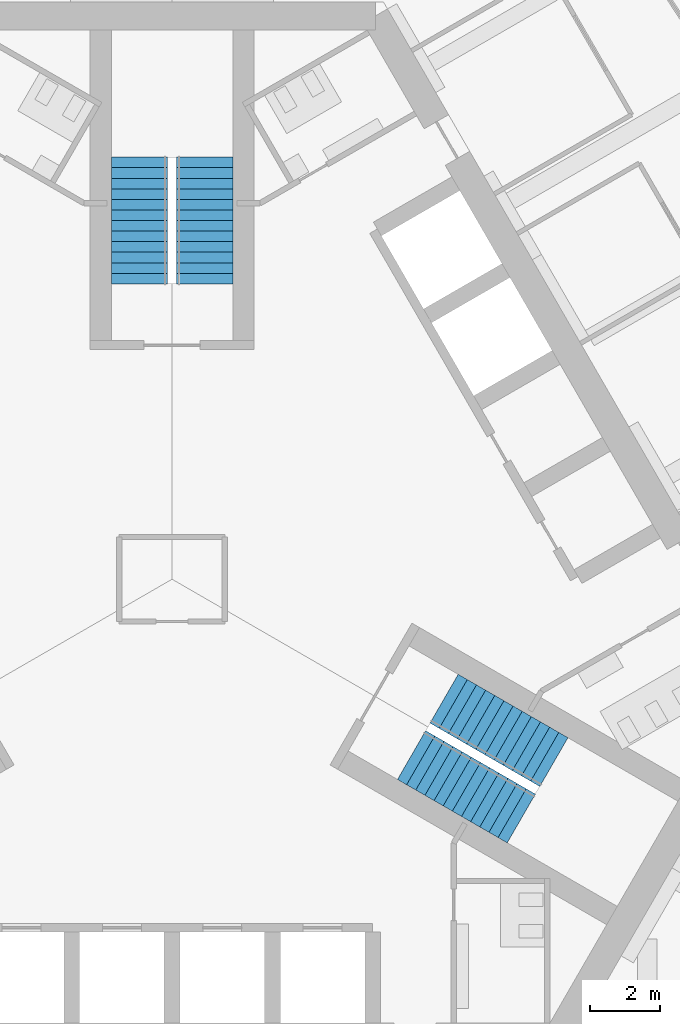
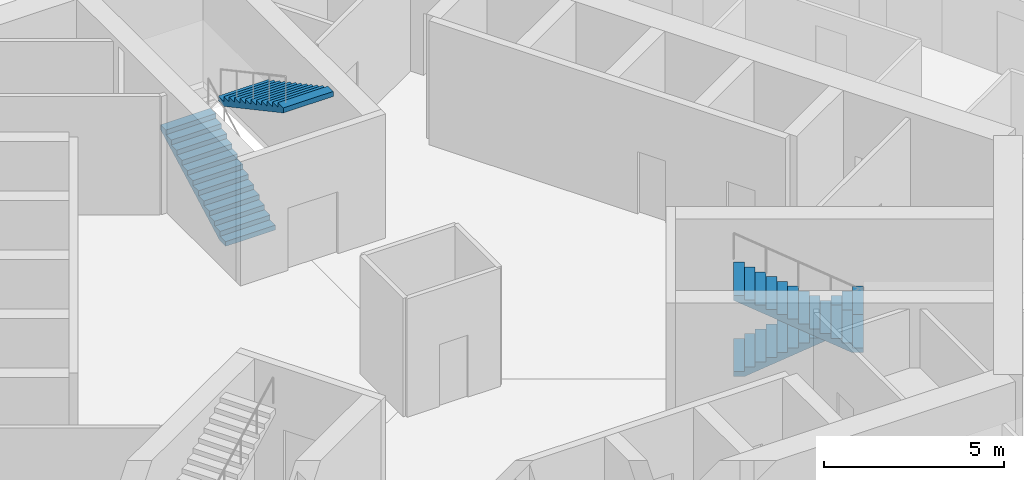
# One storey, part 15 of 20: 4 stair flights, 2 elements without a shape of their own.
"""IFC4 building model written with IfcOpenShell, lengths in metres."""

from ifc_helpers import new_model, si_unit, direction, frame, origin, place, context, subcontext, project, spatial, polyline, outline, extrude, material, type_object, element, aggregate, save


model = new_model("IFC4")

# Units and contexts
model_context = context("Model", 3, precision=1e-05, world=origin(), true_north=direction((0.0, 1.0)))
body_context = subcontext(model_context, "Body", "Model", "MODEL_VIEW")
ifc_project = project(units=[si_unit("LENGTHUNIT", "METRE"), si_unit("AREAUNIT", "SQUARE_METRE"), si_unit("VOLUMEUNIT", "CUBIC_METRE"), si_unit("PLANEANGLEUNIT", "RADIAN"), si_unit("MASSUNIT", "GRAM", prefix="KILO")], contexts=[model_context])

# Site, building, storey
site_placement = place(None, origin())
site = spatial("IfcSite", under=ifc_project, at=site_placement, CompositionType="ELEMENT")
building_placement = place(site_placement, origin())
building = spatial("IfcBuilding", under=site, at=building_placement, Name="Trefoil Bronze Tower", CompositionType="ELEMENT")
storey_placement = place(building_placement, frame((0.0, 0.0, 103.10009765625)))
storey = spatial("IfcBuildingStorey", under=building, at=storey_placement, Name="L23", CompositionType="ELEMENT", Elevation=103.10009765625)

# Stair, stair flights
ifc_material_1 = material(Name="Precast concrete B80", Category="concrete")
stair_type = type_object("IfcStairType", Name="Exit stair 26 risers", PredefinedType="HALF_TURN_STAIR", material=ifc_material_1)
stair_1_placement = place(storey_placement, origin())
stair_1 = element("IfcStair", 1, at=stair_1_placement, inside=storey, type_object=stair_type, Name="Stair ST1 L23", PredefinedType="HALF_TURN_STAIR")
ifc_material_2 = material(Name="Precast concrete B80", Category="concrete")
stair_flight_type = type_object("IfcStairFlightType", Name="Stair flight 1600", PredefinedType="STRAIGHT", material=ifc_material_2)
stair_flight_1_placement = place(storey_placement, frame((7.728515625, -3.39404296875, 0.0), z_axis=(0.0, 0.0, 1.0), x_axis=(0.866025403784, -0.5, 0.0)))
stair_flight_1 = element("IfcStairFlight", 2, at=stair_flight_1_placement, type_object=stair_flight_type, Name="ST1 flight 1", NumberOfRisers=13, NumberOfTreads=12, PredefinedType="STRAIGHT", RiserHeight=0.161538462, TreadLength=0.3, context=body_context, shape_type="SweptSolid", body=[
    extrude(outline(polyline([(0.0, 0.0), (0.0, 0.16162109375), (0.300048828125, 0.16162109375), (0.300048828125, 0.322998046875), (0.60009765625, 0.322998046875), (0.60009765625, 0.484619140625), (0.89990234375, 0.484619140625), (0.89990234375, 0.646240234375), (1.199951171875, 0.646240234375), (1.199951171875, 0.8076171875), (1.5, 0.8076171875), (1.5, 0.96923828125), (1.800048828125, 0.96923828125), (1.800048828125, 1.130859375), (2.10009765625, 1.130859375), (2.10009765625, 1.292236328125), (2.39990234375, 1.292236328125), (2.39990234375, 1.453857421875), (2.699951171875, 1.453857421875), (2.699951171875, 1.615478515625), (3.0, 1.615478515625), (3.0, 1.77685546875), (3.300048828125, 1.77685546875), (3.300048828125, 1.9384765625), (3.60009765625, 1.9384765625), (3.60009765625, 2.10009765625), (3.60009765625, 1.768310546875), (0.316162109375, 0.0), (0.0, 0.0)])), frame((0.0, 0.800048828125, 0.0), z_axis=(0.0, -1.0, 0.0), x_axis=(1.0, 0.0, 0.0)), (0.0, 0.0, 1.0), 1.60009765625),
])
stair_flight_2_placement = place(storey_placement, frame((9.921142578125, -6.796142578125, 2.099853515625), z_axis=(0.0, 0.0, 1.0), x_axis=(-0.866025403784, 0.5, 0.0)))
stair_flight_2 = element("IfcStairFlight", 3, at=stair_flight_2_placement, type_object=stair_flight_type, Name="ST1 flight 2", NumberOfRisers=13, NumberOfTreads=12, PredefinedType="STRAIGHT", RiserHeight=0.161538462, TreadLength=0.3, context=body_context, shape_type="SweptSolid", body=[
    extrude(outline(polyline([(0.0, 0.0), (0.0, 0.16162109375), (0.300048828125, 0.16162109375), (0.300048828125, 0.322998046875), (0.60009765625, 0.322998046875), (0.60009765625, 0.484619140625), (0.89990234375, 0.484619140625), (0.89990234375, 0.646240234375), (1.199951171875, 0.646240234375), (1.199951171875, 0.8076171875), (1.5, 0.8076171875), (1.5, 0.96923828125), (1.800048828125, 0.96923828125), (1.800048828125, 1.130859375), (2.10009765625, 1.130859375), (2.10009765625, 1.292236328125), (2.39990234375, 1.292236328125), (2.39990234375, 1.453857421875), (2.699951171875, 1.453857421875), (2.699951171875, 1.615478515625), (3.0, 1.615478515625), (3.0, 1.77685546875), (3.300048828125, 1.77685546875), (3.300048828125, 1.9384765625), (3.60009765625, 1.9384765625), (3.60009765625, 2.10009765625), (3.60009765625, 1.768310546875), (0.316162109375, 0.0), (0.0, 0.0)])), frame((0.0, 0.800048828125, 0.0), z_axis=(0.0, -1.0, 0.0), x_axis=(1.0, 0.0, 0.0)), (0.0, 0.0, 1.0), 1.60009765625),
])
aggregate(stair_1, [stair_flight_1, stair_flight_2])

stair_2_placement = place(storey_placement, origin())
stair_2 = element("IfcStair", 4, at=stair_2_placement, inside=storey, type_object=stair_type, Name="Stair ST2 L23", PredefinedType="HALF_TURN_STAIR")
stair_flight_3_placement = place(storey_placement, frame((-0.925048828125, 8.389892578125, 0.0), z_axis=(0.0, 0.0, 1.0), x_axis=(0.0, 1.0, 0.0)))
stair_flight_3 = element("IfcStairFlight", 5, at=stair_flight_3_placement, type_object=stair_flight_type, Name="ST2 flight 1", NumberOfRisers=13, NumberOfTreads=12, PredefinedType="STRAIGHT", RiserHeight=0.161538462, TreadLength=0.3, context=body_context, shape_type="SweptSolid", body=[
    extrude(outline(polyline([(0.0, 0.0), (0.0, 0.16162109375), (0.300048828125, 0.16162109375), (0.300048828125, 0.322998046875), (0.60009765625, 0.322998046875), (0.60009765625, 0.484619140625), (0.89990234375, 0.484619140625), (0.89990234375, 0.646240234375), (1.199951171875, 0.646240234375), (1.199951171875, 0.8076171875), (1.5, 0.8076171875), (1.5, 0.96923828125), (1.800048828125, 0.96923828125), (1.800048828125, 1.130859375), (2.10009765625, 1.130859375), (2.10009765625, 1.292236328125), (2.39990234375, 1.292236328125), (2.39990234375, 1.453857421875), (2.699951171875, 1.453857421875), (2.699951171875, 1.615478515625), (3.0, 1.615478515625), (3.0, 1.77685546875), (3.300048828125, 1.77685546875), (3.300048828125, 1.9384765625), (3.60009765625, 1.9384765625), (3.60009765625, 2.10009765625), (3.60009765625, 1.768310546875), (0.316162109375, 0.0), (0.0, 0.0)])), frame((0.0, 0.800048828125, 0.0), z_axis=(0.0, -1.0, 0.0), x_axis=(1.0, 0.0, 0.0)), (0.0, 0.0, 1.0), 1.60009765625),
])
stair_flight_4_placement = place(storey_placement, frame((0.925048828125, 11.989990234375, 2.099853515625), z_axis=(0.0, 0.0, 1.0), x_axis=(0.0, -1.0, 0.0)))
stair_flight_4 = element("IfcStairFlight", 6, at=stair_flight_4_placement, type_object=stair_flight_type, Name="ST2 flight 2", NumberOfRisers=13, NumberOfTreads=12, PredefinedType="STRAIGHT", RiserHeight=0.161538462, TreadLength=0.3, context=body_context, shape_type="SweptSolid", body=[
    extrude(outline(polyline([(0.0, 0.0), (0.0, 0.16162109375), (0.300048828125, 0.16162109375), (0.300048828125, 0.322998046875), (0.60009765625, 0.322998046875), (0.60009765625, 0.484619140625), (0.89990234375, 0.484619140625), (0.89990234375, 0.646240234375), (1.199951171875, 0.646240234375), (1.199951171875, 0.8076171875), (1.5, 0.8076171875), (1.5, 0.96923828125), (1.800048828125, 0.96923828125), (1.800048828125, 1.130859375), (2.10009765625, 1.130859375), (2.10009765625, 1.292236328125), (2.39990234375, 1.292236328125), (2.39990234375, 1.453857421875), (2.699951171875, 1.453857421875), (2.699951171875, 1.615478515625), (3.0, 1.615478515625), (3.0, 1.77685546875), (3.300048828125, 1.77685546875), (3.300048828125, 1.9384765625), (3.60009765625, 1.9384765625), (3.60009765625, 2.10009765625), (3.60009765625, 1.768310546875), (0.316162109375, 0.0), (0.0, 0.0)])), frame((0.0, 0.800048828125, 0.0), z_axis=(0.0, -1.0, 0.0), x_axis=(1.0, 0.0, 0.0)), (0.0, 0.0, 1.0), 1.60009765625),
])
aggregate(stair_2, [stair_flight_3, stair_flight_4])

save(model, "model.ifc")
